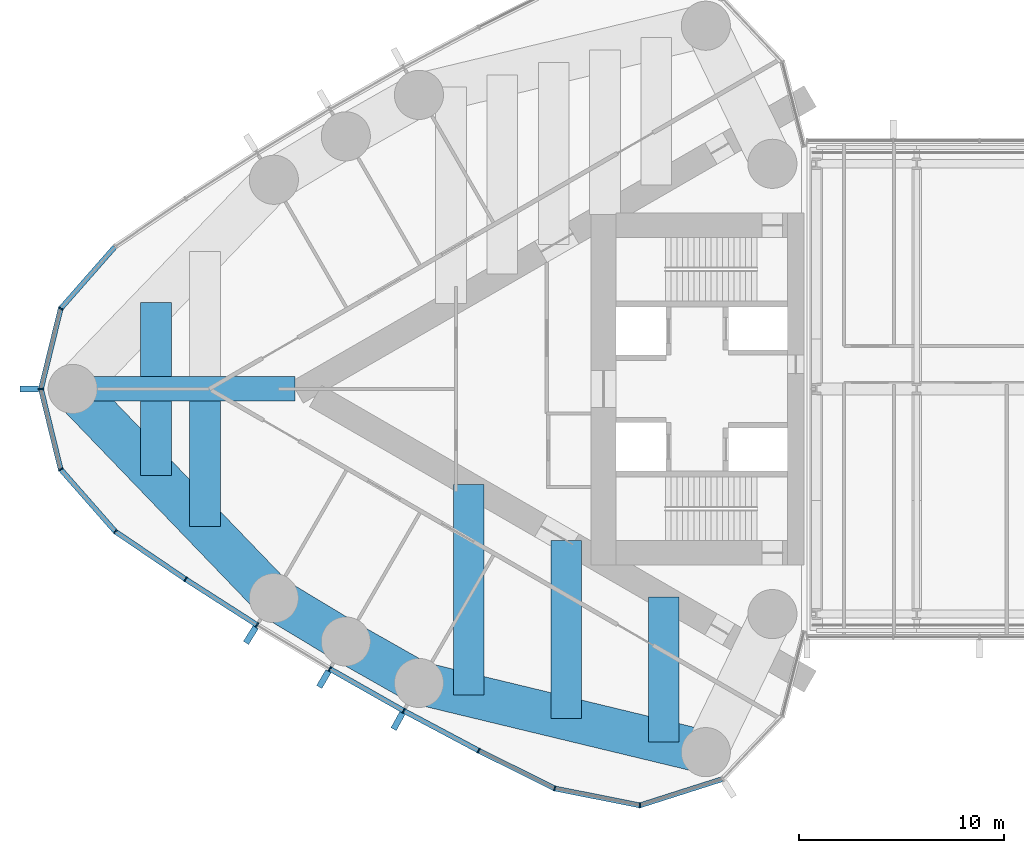
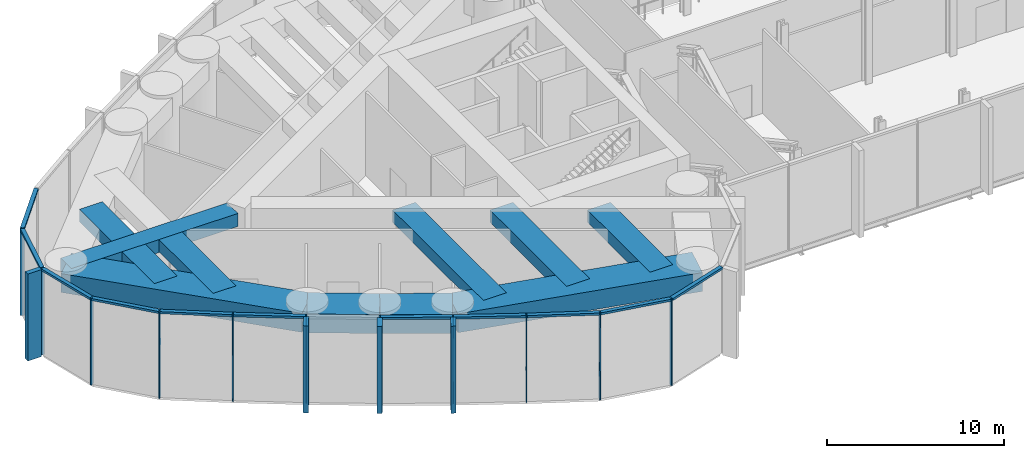
# One storey, part 3 of 21: 26 members, 11 beams, 1 element without a shape of its own.
"""IFC4 building model written with IfcOpenShell, lengths in metres."""

from ifc_helpers import new_model, si_unit, direction, frame, origin, origin_2d, place, context, subcontext, project, spatial, rectangle, extrude, material, material_profile, profile_set, type_object, element, aggregate, save


model = new_model("IFC4")

# Units and contexts
model_context = context("Model", 3, precision=1e-05, world=origin(), true_north=direction((0.0, 1.0)))
body_context = subcontext(model_context, "Body", "Model", "MODEL_VIEW")
ifc_project = project(units=[si_unit("LENGTHUNIT", "METRE"), si_unit("AREAUNIT", "SQUARE_METRE"), si_unit("VOLUMEUNIT", "CUBIC_METRE"), si_unit("PLANEANGLEUNIT", "RADIAN"), si_unit("MASSUNIT", "GRAM", prefix="KILO")], contexts=[model_context])

# Site, building, storey
site_placement = place(None, origin())
site = spatial("IfcSite", under=ifc_project, at=site_placement, CompositionType="ELEMENT")
building_placement = place(site_placement, origin())
building = spatial("IfcBuilding", under=site, at=building_placement, Name="Lancet Gate Hotel", CompositionType="ELEMENT")
storey_placement = place(building_placement, frame((0.0, 0.0, 257.300048828125)))
storey = spatial("IfcBuildingStorey", under=building, at=storey_placement, Name="L68", CompositionType="ELEMENT", Elevation=257.300048828125)

# Curtain wall, members
ifc_material_1 = material(Name="Aluminium curtain wall", Category="aluminium")
curtain_wall_type = type_object("IfcCurtainWallType", Name="Sky deck full-height glazing", PredefinedType="USERDEFINED", material=ifc_material_1)
curtain_wall_placement = place(storey_placement, origin())
curtain_wall = element("IfcCurtainWall", 1, at=curtain_wall_placement, inside=storey, type_object=curtain_wall_type, Name="T1 L68 curtain wall 1", ObjectType="UNITISED CURTAIN WALL", PredefinedType="USERDEFINED")
ifc_material_2 = material(Name="Aluminium mullion", Category="aluminium")
ifc_material_profile_1 = material_profile(ifc_material_2, rectangle(XDim=0.06494140625, YDim=0.25, at=origin_2d()), Name="MULLION 65x250")
ifc_profile_set_1 = profile_set([ifc_material_profile_1], Name="Aluminium mullion")
member_type_1 = type_object("IfcMemberType", Name="Aluminium mullion 65x250", PredefinedType="MULLION", material=ifc_profile_set_1)
member_1_placement = place(storey_placement, frame((-63.822021484375, 3.928466796875, 0.0), z_axis=(0.0, 0.0, 1.0), x_axis=(-0.46217799743, -0.886787177789, 0.0)))
member_1 = element("IfcMember", 2, at=member_1_placement, type_object=member_type_1, Name="T1 L68 curtain wall 1 mullion 12", PredefinedType="MULLION", context=body_context, shape_type="SweptSolid", body=[
    extrude(rectangle(XDim=0.06494140625, YDim=0.25, at=origin_2d()), origin(), (0.0, 0.0, 1.0), 6.0),
])
member_2_placement = place(storey_placement, frame((-64.7841796875, 0.0, 0.0), z_axis=(0.0, 0.0, 1.0), x_axis=(0.0, -1.0, 0.0)))
member_2 = element("IfcMember", 3, at=member_2_placement, type_object=member_type_1, Name="T1 L68 curtain wall 1 mullion 13", PredefinedType="MULLION", context=body_context, shape_type="SweptSolid", body=[
    extrude(rectangle(XDim=0.06494140625, YDim=0.25, at=origin_2d()), origin(), (0.0, 0.0, 1.0), 6.0),
])
member_3_placement = place(storey_placement, frame((-63.822021484375, -3.928466796875, 0.0), z_axis=(0.0, 0.0, 1.0), x_axis=(0.46217799743, -0.886787177789, 0.0)))
member_3 = element("IfcMember", 4, at=member_3_placement, type_object=member_type_1, Name="T1 L68 curtain wall 1 mullion 14", PredefinedType="MULLION", context=body_context, shape_type="SweptSolid", body=[
    extrude(rectangle(XDim=0.06494140625, YDim=0.25, at=origin_2d()), origin(), (0.0, 0.0, 1.0), 6.0),
])
member_4_placement = place(storey_placement, frame((-61.15283203125, -6.967529296875, 0.0), z_axis=(0.0, 0.0, 1.0), x_axis=(0.750715604757, -0.660625522345, 0.0)))
member_4 = element("IfcMember", 5, at=member_4_placement, type_object=member_type_1, Name="T1 L68 curtain wall 1 mullion 15", PredefinedType="MULLION", context=body_context, shape_type="SweptSolid", body=[
    extrude(rectangle(XDim=0.06494140625, YDim=0.25, at=origin_2d()), origin(), (0.0, 0.0, 1.0), 6.0),
])
member_5_placement = place(storey_placement, frame((-57.72021484375, -9.298095703125, 0.0), z_axis=(0.0, 0.0, 1.0), x_axis=(0.834827178542, -0.550512108829, 0.0)))
member_5 = element("IfcMember", 6, at=member_5_placement, type_object=member_type_1, Name="T1 L68 curtain wall 1 mullion 16", PredefinedType="MULLION", context=body_context, shape_type="SweptSolid", body=[
    extrude(rectangle(XDim=0.06494140625, YDim=0.25, at=origin_2d()), origin(), (0.0, 0.0, 1.0), 6.0),
])
member_6_placement = place(storey_placement, frame((-54.225830078125, -11.535400390625, 0.0), z_axis=(0.0, 0.0, 1.0), x_axis=(0.849342388216, -0.527842313176, 0.0)))
member_6 = element("IfcMember", 7, at=member_6_placement, type_object=member_type_1, Name="T1 L68 curtain wall 1 mullion 17", PredefinedType="MULLION", context=body_context, shape_type="SweptSolid", body=[
    extrude(rectangle(XDim=0.06494140625, YDim=0.25, at=origin_2d()), origin(), (0.0, 0.0, 1.0), 6.0),
])
member_7_placement = place(storey_placement, frame((-50.67236328125, -13.677978515625, 0.0), z_axis=(0.0, 0.0, 1.0), x_axis=(0.863242155108, -0.504790037189, 0.0)))
member_7 = element("IfcMember", 8, at=member_7_placement, type_object=member_type_1, Name="T1 L68 curtain wall 1 mullion 18", PredefinedType="MULLION", context=body_context, shape_type="SweptSolid", body=[
    extrude(rectangle(XDim=0.06494140625, YDim=0.25, at=origin_2d()), origin(), (0.0, 0.0, 1.0), 6.0),
])
member_8_placement = place(storey_placement, frame((-47.062744140625, -15.72412109375, 0.0), z_axis=(0.0, 0.0, 1.0), x_axis=(0.876516407283, -0.481371984815, 0.0)))
member_8 = element("IfcMember", 9, at=member_8_placement, type_object=member_type_1, Name="T1 L68 curtain wall 1 mullion 19", PredefinedType="MULLION", context=body_context, shape_type="SweptSolid", body=[
    extrude(rectangle(XDim=0.06494140625, YDim=0.25, at=origin_2d()), origin(), (0.0, 0.0, 1.0), 6.0),
])
member_9_placement = place(storey_placement, frame((-43.3994140625, -17.67236328125, 0.0), z_axis=(0.0, 0.0, 1.0), x_axis=(0.889155526065, -0.457605125046, 0.0)))
member_9 = element("IfcMember", 10, at=member_9_placement, type_object=member_type_1, Name="T1 L68 curtain wall 1 mullion 20", PredefinedType="MULLION", context=body_context, shape_type="SweptSolid", body=[
    extrude(rectangle(XDim=0.06494140625, YDim=0.25, at=origin_2d()), origin(), (0.0, 0.0, 1.0), 6.0),
])
member_10_placement = place(storey_placement, frame((-39.684814453125, -19.521240234375, 0.0), z_axis=(0.0, 0.0, 1.0), x_axis=(0.946887706423, -0.321564412561, 0.0)))
member_10 = element("IfcMember", 11, at=member_10_placement, type_object=member_type_1, Name="T1 L68 curtain wall 1 mullion 21", PredefinedType="MULLION", context=body_context, shape_type="SweptSolid", body=[
    extrude(rectangle(XDim=0.06494140625, YDim=0.25, at=origin_2d()), origin(), (0.0, 0.0, 1.0), 6.0),
])
member_11_placement = place(storey_placement, frame((-35.520751953125, -20.347900390625, 0.0), z_axis=(0.0, 0.0, 1.0), x_axis=(0.998409168318, 0.056383797491, 0.0)))
member_11 = element("IfcMember", 12, at=member_11_placement, type_object=member_type_1, Name="T1 L68 curtain wall 1 mullion 22", PredefinedType="MULLION", context=body_context, shape_type="SweptSolid", body=[
    extrude(rectangle(XDim=0.06494140625, YDim=0.25, at=origin_2d()), origin(), (0.0, 0.0, 1.0), 6.0),
])
ifc_material_3 = material(Name="Aluminium transom", Category="aluminium")
ifc_material_profile_2 = material_profile(ifc_material_3, rectangle(XDim=0.25, YDim=0.14990234375, at=origin_2d()), Name="TRANSOM 250x150")
ifc_profile_set_2 = profile_set([ifc_material_profile_2], Name="Aluminium transom")
member_type_2 = type_object("IfcMemberType", Name="Aluminium transom 250x150", PredefinedType="USERDEFINED", material=ifc_profile_set_2)
member_12_placement = place(storey_placement, frame((-61.17431640625, 6.943115234375, 5.925048828125), z_axis=(-0.659893258593, -0.751359359603, 0.0), x_axis=(0.751359359603, -0.659893258593, 0.0)))
member_12 = element("IfcMember", 13, at=member_12_placement, type_object=member_type_2, Name="T1 L68 curtain wall 1 transom 11", ObjectType="TRANSOM", PredefinedType="USERDEFINED", context=body_context, shape_type="SweptSolid", body=[
    extrude(rectangle(XDim=0.25, YDim=0.14990234375, at=origin_2d()), origin(), (0.0, 0.0, 1.0), 3.979736328125),
])
member_13_placement = place(storey_placement, frame((-63.829833984375, 3.89697265625, 5.925048828125), z_axis=(-0.237899438372, -0.971289790548, 0.0), x_axis=(0.971289790548, -0.237899438372, 0.0)))
member_13 = element("IfcMember", 14, at=member_13_placement, type_object=member_type_2, Name="T1 L68 curtain wall 1 transom 12", ObjectType="TRANSOM", PredefinedType="USERDEFINED", context=body_context, shape_type="SweptSolid", body=[
    extrude(rectangle(XDim=0.25, YDim=0.14990234375, at=origin_2d()), origin(), (0.0, 0.0, 1.0), 3.979736328125),
])
member_14_placement = place(storey_placement, frame((-64.776611328125, -0.031494140625, 5.925048828125), z_axis=(0.237899438372, -0.971289790548, 0.0), x_axis=(0.971289790548, 0.237899438372, 0.0)))
member_14 = element("IfcMember", 15, at=member_14_placement, type_object=member_type_2, Name="T1 L68 curtain wall 1 transom 13", ObjectType="TRANSOM", PredefinedType="USERDEFINED", context=body_context, shape_type="SweptSolid", body=[
    extrude(rectangle(XDim=0.25, YDim=0.14990234375, at=origin_2d()), origin(), (0.0, 0.0, 1.0), 3.979736328125),
])
member_15_placement = place(storey_placement, frame((-63.800537109375, -3.952880859375, 5.925048828125), z_axis=(0.659893258593, -0.751359359603, 0.0), x_axis=(0.751359359603, 0.659893258593, 0.0)))
member_15 = element("IfcMember", 16, at=member_15_placement, type_object=member_type_2, Name="T1 L68 curtain wall 1 transom 14", ObjectType="TRANSOM", PredefinedType="USERDEFINED", context=body_context, shape_type="SweptSolid", body=[
    extrude(rectangle(XDim=0.25, YDim=0.14990234375, at=origin_2d()), origin(), (0.0, 0.0, 1.0), 3.979736328125),
])
member_16_placement = place(storey_placement, frame((-61.1259765625, -6.98583984375, 5.925048828125), z_axis=(0.827348780456, -0.561688521761, 0.0), x_axis=(0.561688521761, 0.827348780456, 0.0)))
member_16 = element("IfcMember", 17, at=member_16_placement, type_object=member_type_2, Name="T1 L68 curtain wall 1 transom 15", ObjectType="TRANSOM", PredefinedType="USERDEFINED", context=body_context, shape_type="SweptSolid", body=[
    extrude(rectangle(XDim=0.25, YDim=0.14990234375, at=origin_2d()), origin(), (0.0, 0.0, 1.0), 4.083984375),
])
member_17_placement = place(storey_placement, frame((-57.692626953125, -9.315673828125, 5.925048828125), z_axis=(0.842144358733, -0.539252147937, 0.0), x_axis=(0.539252147937, 0.842144358733, 0.0)))
member_17 = element("IfcMember", 18, at=member_17_placement, type_object=member_type_2, Name="T1 L68 curtain wall 1 transom 16", ObjectType="TRANSOM", PredefinedType="USERDEFINED", context=body_context, shape_type="SweptSolid", body=[
    extrude(rectangle(XDim=0.25, YDim=0.14990234375, at=origin_2d()), origin(), (0.0, 0.0, 1.0), 4.084228515625),
])
member_18_placement = place(storey_placement, frame((-50.644287109375, -13.694091796875, 5.925048828125), z_axis=(0.869977740049, -0.493090997503, 0.0), x_axis=(0.493090997503, 0.869977740049, 0.0)))
member_18 = element("IfcMember", 19, at=member_18_placement, type_object=member_type_2, Name="T1 L68 curtain wall 1 transom 18", ObjectType="TRANSOM", PredefinedType="USERDEFINED", context=body_context, shape_type="SweptSolid", body=[
    extrude(rectangle(XDim=0.25, YDim=0.14990234375, at=origin_2d()), origin(), (0.0, 0.0, 1.0), 4.084228515625),
])
member_19_placement = place(storey_placement, frame((-47.0341796875, -15.739501953125, 5.925048828125), z_axis=(0.882944619844, -0.469477154171, 0.0), x_axis=(0.469477154171, 0.882944619844, 0.0)))
member_19 = element("IfcMember", 20, at=member_19_placement, type_object=member_type_2, Name="T1 L68 curtain wall 1 transom 19", ObjectType="TRANSOM", PredefinedType="USERDEFINED", context=body_context, shape_type="SweptSolid", body=[
    extrude(rectangle(XDim=0.25, YDim=0.14990234375, at=origin_2d()), origin(), (0.0, 0.0, 1.0), 4.084228515625),
])
member_20_placement = place(storey_placement, frame((-43.370361328125, -17.686767578125, 5.925048828125), z_axis=(0.895226720479, -0.445610950202, 0.0), x_axis=(0.445610950202, 0.895226720479, 0.0)))
member_20 = element("IfcMember", 21, at=member_20_placement, type_object=member_type_2, Name="T1 L68 curtain wall 1 transom 20", ObjectType="TRANSOM", PredefinedType="USERDEFINED", context=body_context, shape_type="SweptSolid", body=[
    extrude(rectangle(XDim=0.25, YDim=0.14990234375, at=origin_2d()), origin(), (0.0, 0.0, 1.0), 4.08447265625),
])
member_21_placement = place(storey_placement, frame((-39.65283203125, -19.527587890625, 5.925048828125), z_axis=(0.980858234867, -0.194723196085, 0.0), x_axis=(0.194723196085, 0.980858234867, 0.0)))
member_21 = element("IfcMember", 22, at=member_21_placement, type_object=member_type_2, Name="T1 L68 curtain wall 1 transom 21", ObjectType="TRANSOM", PredefinedType="USERDEFINED", context=body_context, shape_type="SweptSolid", body=[
    extrude(rectangle(XDim=0.25, YDim=0.14990234375, at=origin_2d()), origin(), (0.0, 0.0, 1.0), 4.18017578125),
])
member_22_placement = place(storey_placement, frame((-35.48974609375, -20.338134765625, 5.925048828125), z_axis=(0.952697713775, 0.303919506068, 0.0), x_axis=(-0.303919506068, 0.952697713775, 0.0)))
member_22 = element("IfcMember", 23, at=member_22_placement, type_object=member_type_2, Name="T1 L68 curtain wall 1 transom 22", ObjectType="TRANSOM", PredefinedType="USERDEFINED", context=body_context, shape_type="SweptSolid", body=[
    extrude(rectangle(XDim=0.25, YDim=0.14990234375, at=origin_2d()), origin(), (0.0, 0.0, 1.0), 4.180419921875),
])

# Beams
ifc_material_4 = material(Name="Concrete C50/60", Category="concrete")
ifc_material_profile_3 = material_profile(ifc_material_4, rectangle(XDim=2.10009765625, YDim=1.300048828125, at=origin_2d()), Name="RC 2100x1300")
ifc_profile_set_3 = profile_set([ifc_material_profile_3], Name="Concrete C50/60")
beam_type_1 = type_object("IfcBeamType", Name="Edge beam RC 2100x1300", PredefinedType="SPANDREL", material=ifc_profile_set_3)
beam_1_placement = place(storey_placement, frame((-63.234375, 0.0, 5.099853515625), z_axis=(0.693134527053, -0.720808245934, 0.0), x_axis=(0.720808245934, 0.693134527053, 0.0)))
element("IfcBeam", 24, at=beam_1_placement, inside=storey, type_object=beam_type_1, Name="T1 edge beam EB1 L68", PredefinedType="SPANDREL", context=body_context, shape_type="SweptSolid", body=[
    extrude(rectangle(XDim=2.10009765625, YDim=1.300048828125, at=origin_2d()), origin(), (0.0, 0.0, 1.0), 14.17724609375),
])
for number, where, z_axis, x_axis, name in (
    (25, (-53.40771484375, -10.218994140625, 5.099853515625), (0.856358061538, -0.516382484636, 0.0), (0.516382484636, 0.856358061538, 0.0), "T1 edge beam EB1 L68"),
    (26, (-49.89013671875, -12.340087890625, 5.099853515625), (0.869978841992, -0.493089053301, 0.0), (0.493089053301, 0.869978841992, 0.0), "T1 edge beam EB1 L68"),
):
    element("IfcBeam", number, at=place(storey_placement, frame(where, z_axis=z_axis, x_axis=x_axis)), inside=storey, type_object=beam_type_1, Name=name, PredefinedType="SPANDREL", context=body_context, shape_type="SweptSolid", body=[
        extrude(rectangle(XDim=2.10009765625, YDim=1.300048828125, at=origin_2d()), origin(), (0.0, 0.0, 1.0), 4.107666015625),
    ])
beam_2_placement = place(storey_placement, frame((-46.316650390625, -14.365478515625, 5.099853515625), z_axis=(0.972132796948, -0.234430853556, 0.0), x_axis=(0.234430853556, 0.972132796948, 0.0)))
element("IfcBeam", 27, at=beam_2_placement, inside=storey, type_object=beam_type_1, Name="T1 edge beam EB1 L68", PredefinedType="SPANDREL", context=body_context, shape_type="SweptSolid", body=[
    extrude(rectangle(XDim=2.10009765625, YDim=1.300048828125, at=origin_2d()), origin(), (0.0, 0.0, 1.0), 14.41748046875),
])

# Member
ifc_material_5 = material(Name="Precast concrete C50/60", Category="concrete")
ifc_material_profile_4 = material_profile(ifc_material_5, rectangle(XDim=0.300048828125, YDim=0.89990234375, at=origin_2d()), Name="FIN 300x900")
ifc_profile_set_4 = profile_set([ifc_material_profile_4], Name="Precast concrete C50/60")
member_type_3 = type_object("IfcMemberType", Name="Exposed concrete fin 300x900", PredefinedType="USERDEFINED", material=ifc_profile_set_4)
member_23_placement = place(storey_placement, frame((-65.359375, 0.0, 0.0), z_axis=(0.0, 0.0, 1.0), x_axis=(0.0, -1.0, 0.0)))
member_23 = element("IfcMember", 28, at=member_23_placement, type_object=member_type_3, Name="T1 L68 curtain wall 1 fin 13", ObjectType="FIN", PredefinedType="USERDEFINED", context=body_context, shape_type="SweptSolid", body=[
    extrude(rectangle(XDim=0.300048828125, YDim=0.89990234375, at=origin_2d()), origin(), (0.0, 0.0, 1.0), 6.0),
])

member_24_placement = place(storey_placement, frame((-54.529296875, -12.02392578125, 0.0), z_axis=(0.0, 0.0, 1.0), x_axis=(0.849342388216, -0.527842313176, 0.0)))
member_24 = element("IfcMember", 29, at=member_24_placement, type_object=member_type_3, Name="T1 L68 curtain wall 1 fin 17", ObjectType="FIN", PredefinedType="USERDEFINED", context=body_context, shape_type="SweptSolid", body=[
    extrude(rectangle(XDim=0.300048828125, YDim=0.89990234375, at=origin_2d()), origin(), (0.0, 0.0, 1.0), 6.0),
])

member_25_placement = place(storey_placement, frame((-50.962646484375, -14.17431640625, 0.0), z_axis=(0.0, 0.0, 1.0), x_axis=(0.863242155108, -0.504790037189, 0.0)))
member_25 = element("IfcMember", 30, at=member_25_placement, type_object=member_type_3, Name="T1 L68 curtain wall 1 fin 18", ObjectType="FIN", PredefinedType="USERDEFINED", context=body_context, shape_type="SweptSolid", body=[
    extrude(rectangle(XDim=0.300048828125, YDim=0.89990234375, at=origin_2d()), origin(), (0.0, 0.0, 1.0), 6.0),
])

member_26_placement = place(storey_placement, frame((-47.339599609375, -16.22802734375, 0.0), z_axis=(0.0, 0.0, 1.0), x_axis=(0.876516407283, -0.481371984815, 0.0)))
member_26 = element("IfcMember", 31, at=member_26_placement, type_object=member_type_3, Name="T1 L68 curtain wall 1 fin 19", ObjectType="FIN", PredefinedType="USERDEFINED", context=body_context, shape_type="SweptSolid", body=[
    extrude(rectangle(XDim=0.300048828125, YDim=0.89990234375, at=origin_2d()), origin(), (0.0, 0.0, 1.0), 6.0),
])

aggregate(curtain_wall, [member_1, member_2, member_23, member_3, member_4, member_5, member_6, member_24, member_7, member_25, member_8, member_26, member_9, member_10, member_11, member_12, member_13, member_14, member_15, member_16, member_17, member_18, member_19, member_20, member_21, member_22])

# Beams
ifc_material_6 = material(Name="Concrete C50/60", Category="concrete")
ifc_material_profile_5 = material_profile(ifc_material_6, rectangle(XDim=1.5, YDim=0.85009765625, at=origin_2d()), Name="RC 1500x850")
ifc_profile_set_5 = profile_set([ifc_material_profile_5], Name="Concrete C50/60")
beam_type_2 = type_object("IfcBeamType", Name="Floor beam RC 1500x850", PredefinedType="BEAM", material=ifc_profile_set_5)
beam_3_placement = place(storey_placement, frame((-34.353515625, -10.169921875, 5.324951171875), z_axis=(0.0, -1.0, 0.0), x_axis=(1.0, 0.0, 0.0)))
element("IfcBeam", 32, at=beam_3_placement, inside=storey, type_object=beam_type_2, Name="T1 floor beam F01N L68", PredefinedType="BEAM", context=body_context, shape_type="SweptSolid", body=[
    extrude(rectangle(XDim=1.5, YDim=0.85009765625, at=origin_2d()), origin(), (0.0, 0.0, 1.0), 7.08056640625),
])
beam_4_placement = place(storey_placement, frame((-39.122314453125, -7.41650390625, 5.324951171875), z_axis=(0.0, -1.0, 0.0), x_axis=(1.0, 0.0, 0.0)))
element("IfcBeam", 33, at=beam_4_placement, inside=storey, type_object=beam_type_2, Name="T1 floor beam F04N L68", PredefinedType="BEAM", context=body_context, shape_type="SweptSolid", body=[
    extrude(rectangle(XDim=1.5, YDim=0.85009765625, at=origin_2d()), origin(), (0.0, 0.0, 1.0), 8.683837890625),
])
beam_5_placement = place(storey_placement, frame((-43.891357421875, -4.663330078125, 5.324951171875), z_axis=(0.0, -1.0, 0.0), x_axis=(1.0, 0.0, 0.0)))
element("IfcBeam", 34, at=beam_5_placement, inside=storey, type_object=beam_type_2, Name="T1 floor beam F07N L68", PredefinedType="BEAM", context=body_context, shape_type="SweptSolid", body=[
    extrude(rectangle(XDim=1.5, YDim=0.85009765625, at=origin_2d()), origin(), (0.0, 0.0, 1.0), 10.287109375),
])
beam_6_placement = place(storey_placement, frame((-56.768310546875, -0.60009765625, 5.324951171875), z_axis=(0.0, -1.0, 0.0), x_axis=(1.0, 0.0, 0.0)))
element("IfcBeam", 35, at=beam_6_placement, inside=storey, type_object=beam_type_2, Name="T1 floor beam F10N L68", PredefinedType="BEAM", context=body_context, shape_type="SweptSolid", body=[
    extrude(rectangle(XDim=1.5, YDim=0.85009765625, at=origin_2d()), origin(), (0.0, 0.0, 1.0), 6.1240234375),
])
for number, where, z_axis, x_axis, name in (
    (36, (-59.168212890625, 4.228271484375, 5.324951171875), (0.0, -1.0, 0.0), (1.0, 0.0, 0.0), "T1 floor beam F11S L68"),
    (37, (-59.168212890625, -0.60009765625, 5.324951171875), (0.0, -1.0, 0.0), (1.0, 0.0, 0.0), "T1 floor beam F12N L68"),
):
    element("IfcBeam", number, at=place(storey_placement, frame(where, z_axis=z_axis, x_axis=x_axis)), inside=storey, type_object=beam_type_2, Name=name, PredefinedType="BEAM", context=body_context, shape_type="SweptSolid", body=[
        extrude(rectangle(XDim=1.5, YDim=0.85009765625, at=origin_2d()), origin(), (0.0, 0.0, 1.0), 3.628173828125),
    ])
ifc_material_7 = material(Name="Concrete C50/60", Category="concrete")
ifc_material_profile_6 = material_profile(ifc_material_7, rectangle(XDim=1.199951171875, YDim=0.89990234375, at=origin_2d()), Name="RC 1200x900")
ifc_profile_set_6 = profile_set([ifc_material_profile_6], Name="Concrete C50/60")
beam_type_3 = type_object("IfcBeamType", Name="Radial floor beam RC 1200x900", PredefinedType="BEAM", material=ifc_profile_set_6)
beam_7_placement = place(storey_placement, frame((-63.234375, 0.0, 5.300048828125), z_axis=(1.0, 0.0, 0.0), x_axis=(0.0, 1.0, 0.0)))
element("IfcBeam", 38, at=beam_7_placement, inside=storey, type_object=beam_type_3, Name="T1 radial beam CA L68", PredefinedType="BEAM", context=body_context, shape_type="SweptSolid", body=[
    extrude(rectangle(XDim=1.199951171875, YDim=0.89990234375, at=origin_2d()), origin(), (0.0, 0.0, 1.0), 10.8662109375),
])

save(model, "model.ifc")
